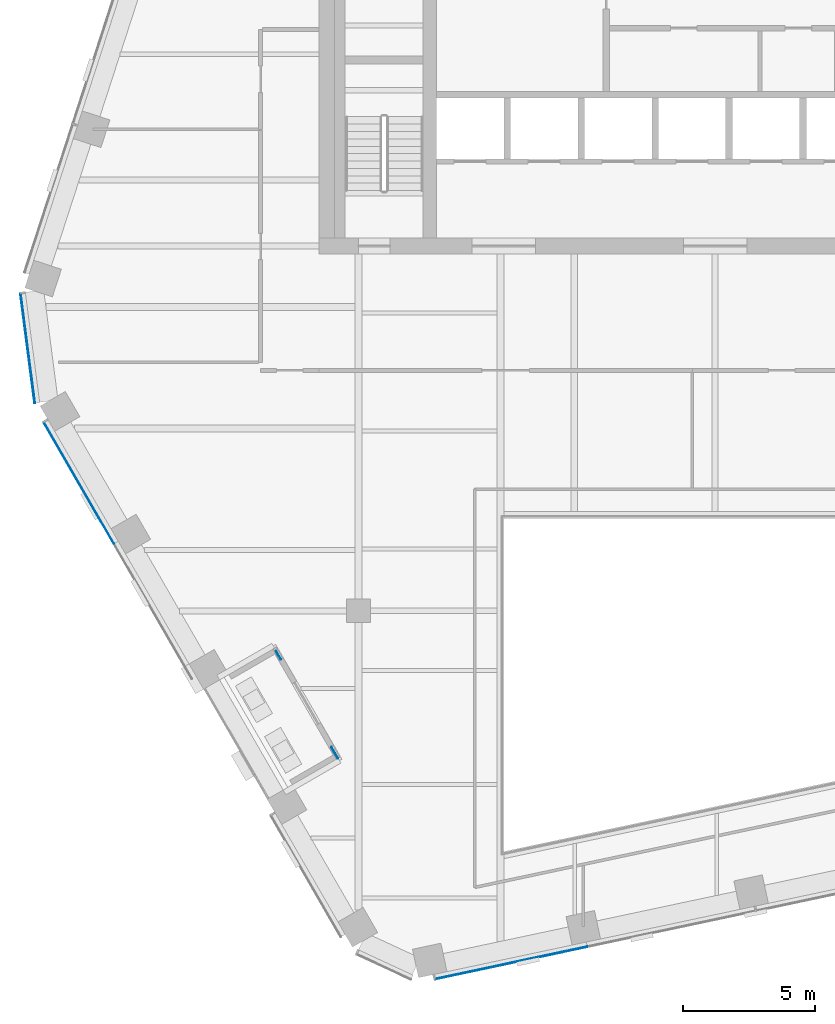
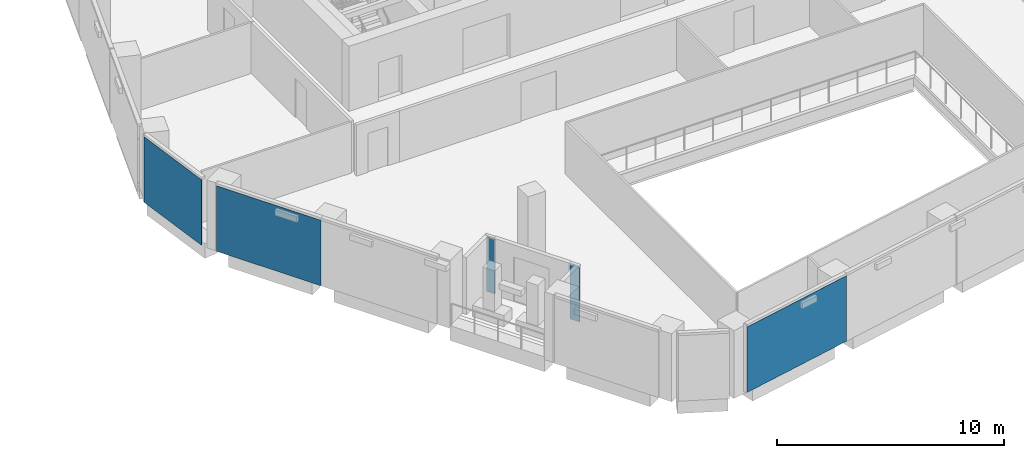
# One storey, part 11 of 25: 5 plates, 4 elements without a shape of their own.
"""IFC4 building model written with IfcOpenShell, lengths in metres."""

from ifc_helpers import new_model, si_unit, direction, frame, origin, origin_2d, place, context, subcontext, project, spatial, rectangle, extrude, material, layer, layer_set, type_object, element, aggregate, save


model = new_model("IFC4")

# Units and contexts
model_context = context("Model", 3, precision=1e-05, world=origin(), true_north=direction((0.0, 1.0)))
body_context = subcontext(model_context, "Body", "Model", "MODEL_VIEW")
ifc_project = project(units=[si_unit("LENGTHUNIT", "METRE"), si_unit("AREAUNIT", "SQUARE_METRE"), si_unit("VOLUMEUNIT", "CUBIC_METRE"), si_unit("PLANEANGLEUNIT", "RADIAN"), si_unit("MASSUNIT", "GRAM", prefix="KILO")], contexts=[model_context])

# Site, building, storey
site_placement = place(None, origin())
site = spatial("IfcSite", under=ifc_project, at=site_placement, CompositionType="ELEMENT")
building_placement = place(site_placement, origin())
building = spatial("IfcBuilding", under=site, at=building_placement, Name="Isthmus Gate Tower", CompositionType="ELEMENT")
storey_placement = place(building_placement, frame((0.0, 0.0, 249.14990234375)))
storey = spatial("IfcBuildingStorey", under=building, at=storey_placement, Name="L63", CompositionType="ELEMENT", Elevation=249.14990234375)

# Curtain wall, plate
ifc_material_1 = material(Name="Aluminium, pale champagne anodised", Category="aluminium")
ifc_layer_1 = layer(ifc_material_1, 0.199951171875)
ifc_layer_set_1 = layer_set([ifc_layer_1], Name="CW-1 UNITISED CURTAIN WALL 200 DEEP")
curtain_wall_type_1 = type_object("IfcCurtainWallType", Name="CW-1 UNITISED CURTAIN WALL 200 DEEP", PredefinedType="NOTDEFINED", material=ifc_layer_set_1)
curtain_wall_1_placement = place(storey_placement, origin())
curtain_wall_1 = element("IfcCurtainWall", 1, at=curtain_wall_1_placement, inside=storey, type_object=curtain_wall_type_1, Name="CW-1 NW-SW L63", PredefinedType="NOTDEFINED")
ifc_material_2 = material(Name="Laminated low-iron glass, pale blue tint", Category="glass")
ifc_layer_2 = layer(ifc_material_2, 0.031982421875)
ifc_layer_set_2 = layer_set([ifc_layer_2], Name="CW-1 CLEAR GLASS LITE 32")
plate_type_1 = type_object("IfcPlateType", Name="CW-1 CLEAR GLASS LITE 32", PredefinedType="CURTAIN_PANEL", material=ifc_layer_set_2)
plate_1_placement = place(storey_placement, frame((-26.014892578125, -3.57958984375, 0.0), z_axis=(0.0, 0.0, 1.0), x_axis=(0.129164534, -0.991623175988, 0.0)))
plate_1 = element("IfcPlate", 2, at=plate_1_placement, type_object=plate_type_1, Name="CW-1 glass lite", PredefinedType="CURTAIN_PANEL", context=body_context, shape_type="SweptSolid", body=[
    extrude(rectangle(XDim=4.181396484375, YDim=0.031982421875, at=origin_2d()), origin(), (0.0, 0.0, 1.0), 3.52001953125),
])
aggregate(curtain_wall_1, [plate_1])

curtain_wall_2_placement = place(storey_placement, origin())
curtain_wall_2 = element("IfcCurtainWall", 3, at=curtain_wall_2_placement, inside=storey, type_object=curtain_wall_type_1, Name="CW-1 SW L63", PredefinedType="NOTDEFINED")
plate_2_placement = place(storey_placement, frame((-24.075439453125, -8.668212890625, 0.0), z_axis=(0.0, 0.0, 1.0), x_axis=(0.5, -0.866025403784, 0.0)))
plate_2 = element("IfcPlate", 4, at=plate_2_placement, type_object=plate_type_1, Name="CW-1 glass lite", PredefinedType="CURTAIN_PANEL", context=body_context, shape_type="SweptSolid", body=[
    extrude(rectangle(XDim=5.300537109375, YDim=0.031982421875, at=origin_2d()), origin(), (0.0, 0.0, 1.0), 3.52001953125),
])
aggregate(curtain_wall_2, [plate_2])

curtain_wall_3_placement = place(storey_placement, origin())
curtain_wall_3 = element("IfcCurtainWall", 5, at=curtain_wall_3_placement, inside=storey, type_object=curtain_wall_type_1, Name="CW-1 S L63", PredefinedType="NOTDEFINED")
plate_3_placement = place(storey_placement, frame((-7.71435546875, -26.827880859375, 0.0), z_axis=(0.0, 0.0, 1.0), x_axis=(0.978147600734, 0.207911690818, 0.0)))
plate_3 = element("IfcPlate", 6, at=plate_3_placement, type_object=plate_type_1, Name="CW-1 glass lite", PredefinedType="CURTAIN_PANEL", context=body_context, shape_type="SweptSolid", body=[
    extrude(rectangle(XDim=5.8818359375, YDim=0.031982421875, at=origin_2d()), origin(), (0.0, 0.0, 1.0), 3.52001953125),
])
aggregate(curtain_wall_3, [plate_3])

# Curtain wall, plates
ifc_material_3 = material(Name="Aluminium, pale champagne anodised", Category="aluminium")
ifc_layer_3 = layer(ifc_material_3, 0.14990234375)
ifc_layer_set_3 = layer_set([ifc_layer_3], Name="CW-6 LOGGIA BACK WALL GLAZING 150 DEEP")
curtain_wall_type_2 = type_object("IfcCurtainWallType", Name="CW-6 LOGGIA BACK WALL GLAZING 150 DEEP", PredefinedType="NOTDEFINED", material=ifc_layer_set_3)
curtain_wall_4_placement = place(storey_placement, origin())
curtain_wall_4 = element("IfcCurtainWall", 7, at=curtain_wall_4_placement, inside=storey, type_object=curtain_wall_type_2, Name="CW-6 SW L63", PredefinedType="NOTDEFINED")
ifc_material_4 = material(Name="Laminated low-iron glass, clear", Category="glass")
ifc_layer_4 = layer(ifc_material_4, 0.031982421875)
ifc_layer_set_4 = layer_set([ifc_layer_4], Name="CW-6 CLEAR GLASS LITE 32")
plate_type_2 = type_object("IfcPlateType", Name="CW-6 CLEAR GLASS LITE 32", PredefinedType="CURTAIN_PANEL", material=ifc_layer_set_4)
plate_4_placement = place(storey_placement, frame((-16.535888671875, -15.158935546875, 0.0), z_axis=(0.0, 0.0, 1.0), x_axis=(0.5, -0.866025403784, 0.0)))
plate_4 = element("IfcPlate", 8, at=plate_4_placement, type_object=plate_type_2, Name="CW-6 glass lite", PredefinedType="CURTAIN_PANEL", context=body_context, shape_type="SweptSolid", body=[
    extrude(rectangle(XDim=0.43994140625, YDim=0.031982421875, at=origin_2d()), origin(), (0.0, 0.0, 1.0), 2.929931640625),
])
plate_5_placement = place(storey_placement, frame((-14.3955078125, -18.865966796875, 0.0), z_axis=(0.0, 0.0, 1.0), x_axis=(0.5, -0.866025403784, 0.0)))
plate_5 = element("IfcPlate", 9, at=plate_5_placement, type_object=plate_type_2, Name="CW-6 glass lite", PredefinedType="CURTAIN_PANEL", context=body_context, shape_type="SweptSolid", body=[
    extrude(rectangle(XDim=0.5, YDim=0.031982421875, at=origin_2d()), origin(), (0.0, 0.0, 1.0), 2.929931640625),
])
aggregate(curtain_wall_4, [plate_4, plate_5])

save(model, "model.ifc")
